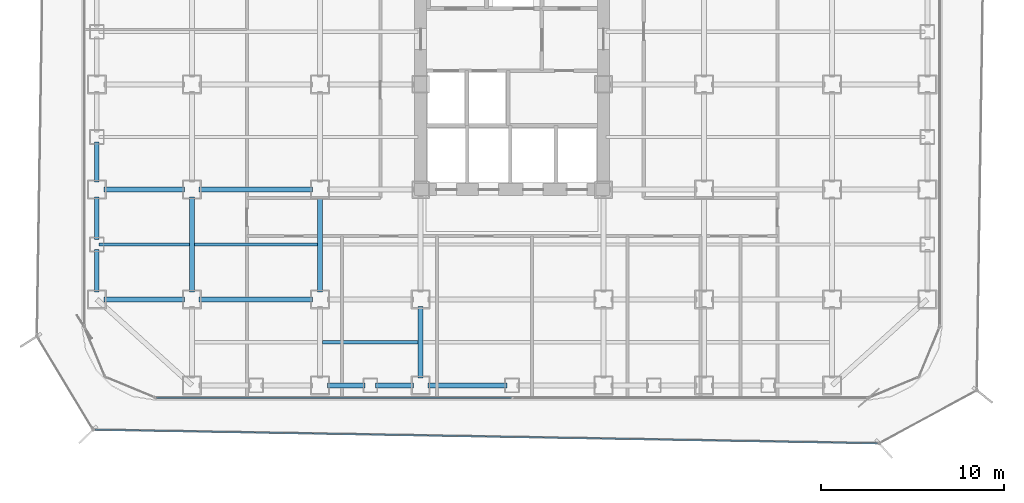
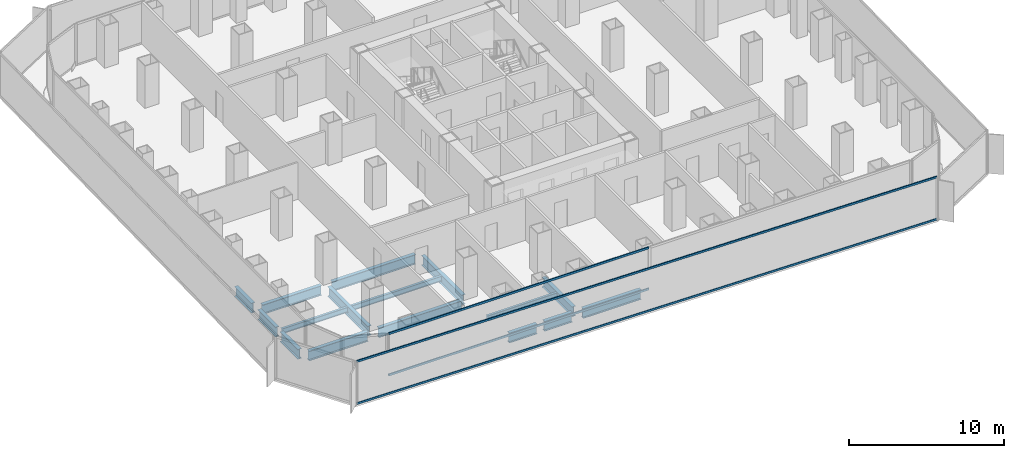
# One storey, part 3 of 22: 16 beams, 4 members, 2 elements without a shape of their own.
"""IFC4 building model written with IfcOpenShell, lengths in metres."""

from ifc_helpers import new_model, si_unit, direction, frame, origin, origin_2d, place, context, subcontext, project, spatial, hollow_rectangle, i_section, extrude, source, transform, mapped, material, layer, layer_set, material_profile, profile_set, type_object, element, aggregate, save


model = new_model("IFC4")

# Units and contexts
model_context = context("Model", 3, precision=1e-05, world=origin(), true_north=direction((0.0, 1.0)))
body_context = subcontext(model_context, "Body", "Model", "MODEL_VIEW")
ifc_project = project(units=[si_unit("LENGTHUNIT", "METRE"), si_unit("AREAUNIT", "SQUARE_METRE"), si_unit("VOLUMEUNIT", "CUBIC_METRE"), si_unit("PLANEANGLEUNIT", "RADIAN"), si_unit("MASSUNIT", "GRAM", prefix="KILO")], contexts=[model_context])

# Site, building, storey
site_placement = place(None, origin())
site = spatial("IfcSite", under=ifc_project, at=site_placement, CompositionType="ELEMENT")
building_placement = place(site_placement, origin())
building = spatial("IfcBuilding", under=site, at=building_placement, Name="Kolveth Station Tower", CompositionType="ELEMENT")
storey_placement = place(building_placement, frame((0.0, 0.0, 54.89990234375)))
storey = spatial("IfcBuildingStorey", under=building, at=storey_placement, Name="L14", CompositionType="ELEMENT", Elevation=54.89990234375)

# Beams
ifc_material_1 = material(Name="Steel S355", Category="steel")
ifc_material_profile_1 = material_profile(ifc_material_1, i_section(OverallWidth=0.26904296875, OverallDepth=0.77490234375, WebThickness=0.01708984375, FlangeThickness=0.0283203125, at=origin_2d()), Name="W760x220")
ifc_profile_set_1 = profile_set([ifc_material_profile_1], Name="Steel S355")
beam_type_1 = type_object("IfcBeamType", Name="Beam_SP1", PredefinedType="SPANDREL", material=ifc_profile_set_1)
shared_shape_1 = source(origin(), body_context, "Body", "SweptSolid", [
    extrude(i_section(OverallWidth=0.26904296875, OverallDepth=0.77490234375, WebThickness=0.01708984375, FlangeThickness=0.0283203125, at=origin_2d()), origin(), (0.0, 0.0, 1.0), 2.070068359375),
])
for number, where, z_axis, x_axis, name in (
    (1, (13.39990234375, 0.800048828125, -0.66748046875), (1.0, 0.0, 0.0), (0.0, 1.0, 0.0), "L14 Perimeter Spandrel BM-L14-PS-3"),
    (2, (16.030029296875, 0.800048828125, -0.66748046875), (1.0, 0.0, 0.0), (0.0, 1.0, 0.0), "L14 Perimeter Spandrel BM-L14-PS-4"),
):
    element("IfcBeam", number, at=place(storey_placement, frame(where, z_axis=z_axis, x_axis=x_axis)), inside=storey, type_object=beam_type_1, Name=name, PredefinedType="SPANDREL", context=body_context, shape_type="MappedRepresentation", body=[
        mapped(shared_shape_1, transform((0.0, 0.0, 0.0), x_axis=(1.0, 0.0, 0.0), y_axis=(0.0, 1.0, 0.0), z_axis=(0.0, 0.0, 1.0), scale=1.0)),
    ])
shared_shape_2 = source(origin(), body_context, "Body", "SweptSolid", [
    extrude(i_section(OverallWidth=0.26904296875, OverallDepth=0.77490234375, WebThickness=0.01708984375, FlangeThickness=0.0283203125, at=origin_2d()), origin(), (0.0, 0.0, 1.0), 4.320068359375),
])
beam_1_placement = place(storey_placement, frame((18.89990234375, 0.800048828125, -0.66748046875), z_axis=(1.0, 0.0, 0.0), x_axis=(0.0, 1.0, 0.0)))
element("IfcBeam", 3, at=beam_1_placement, inside=storey, type_object=beam_type_1, Name="L14 Perimeter Spandrel BM-L14-PS-5", PredefinedType="SPANDREL", context=body_context, shape_type="MappedRepresentation", body=[
    mapped(shared_shape_2, transform((0.0, 0.0, 0.0), x_axis=(1.0, 0.0, 0.0), y_axis=(0.0, 1.0, 0.0), z_axis=(0.0, 0.0, 1.0), scale=1.0)),
])
shared_shape_3 = source(origin(), body_context, "Body", "SweptSolid", [
    extrude(i_section(OverallWidth=0.26904296875, OverallDepth=0.77490234375, WebThickness=0.01708984375, FlangeThickness=0.0283203125, at=origin_2d()), origin(), (0.0, 0.0, 1.0), 2.320068359375),
])
for number, where, z_axis, x_axis, name in (
    (4, (0.800048828125, 5.89990234375, -0.66748046875), (0.0, 1.0, 0.0), (-1.0, 0.0, 0.0), "L14 Perimeter Spandrel BM-L14-PW-1"),
    (5, (0.800048828125, 8.780029296875, -0.66748046875), (0.0, 1.0, 0.0), (-1.0, 0.0, 0.0), "L14 Perimeter Spandrel BM-L14-PW-2"),
):
    element("IfcBeam", number, at=place(storey_placement, frame(where, z_axis=z_axis, x_axis=x_axis)), inside=storey, type_object=beam_type_1, Name=name, PredefinedType="SPANDREL", context=body_context, shape_type="MappedRepresentation", body=[
        mapped(shared_shape_3, transform((0.0, 0.0, 0.0), x_axis=(1.0, 0.0, 0.0), y_axis=(0.0, 1.0, 0.0), z_axis=(0.0, 0.0, 1.0), scale=1.0)),
    ])
shared_shape_4 = source(origin(), body_context, "Body", "SweptSolid", [
    extrude(i_section(OverallWidth=0.26904296875, OverallDepth=0.77490234375, WebThickness=0.01708984375, FlangeThickness=0.0283203125, at=origin_2d()), origin(), (0.0, 0.0, 1.0), 2.2001953125),
])
beam_2_placement = place(storey_placement, frame((0.800048828125, 11.89990234375, -0.66748046875), z_axis=(0.0, 1.0, 0.0), x_axis=(-1.0, 0.0, 0.0)))
element("IfcBeam", 6, at=beam_2_placement, inside=storey, type_object=beam_type_1, Name="L14 Perimeter Spandrel BM-L14-PW-3", PredefinedType="SPANDREL", context=body_context, shape_type="MappedRepresentation", body=[
    mapped(shared_shape_4, transform((0.0, 0.0, 0.0), x_axis=(1.0, 0.0, 0.0), y_axis=(0.0, 1.0, 0.0), z_axis=(0.0, 0.0, 1.0), scale=1.0)),
])
ifc_material_profile_2 = material_profile(ifc_material_1, i_section(OverallWidth=0.26708984375, OverallDepth=0.76611328125, WebThickness=0.014892578125, FlangeThickness=0.023681640625, at=origin_2d()), Name="W760x185")
ifc_profile_set_2 = profile_set([ifc_material_profile_2], Name="Steel S355")
beam_type_2 = type_object("IfcBeamType", Name="Beam_B3", PredefinedType="BEAM", material=ifc_profile_set_2)
shared_shape_5 = source(origin(), body_context, "Body", "SweptSolid", [
    extrude(i_section(OverallWidth=0.26708984375, OverallDepth=0.76611328125, WebThickness=0.014892578125, FlangeThickness=0.023681640625, at=origin_2d()), origin(), (0.0, 0.0, 1.0), 4.400146484375),
])
for number, where, z_axis, x_axis, name in (
    (7, (1.199951171875, 5.5, -0.662841796875), (1.0, 0.0, 0.0), (0.0, 1.0, 0.0), "L14 Primary Girder BM-L14-GY55-1"),
    (8, (1.199951171875, 11.5, -0.662841796875), (1.0, 0.0, 0.0), (0.0, 1.0, 0.0), "L14 Primary Girder BM-L14-GY115-1"),
):
    element("IfcBeam", number, at=place(storey_placement, frame(where, z_axis=z_axis, x_axis=x_axis)), inside=storey, type_object=beam_type_2, Name=name, PredefinedType="BEAM", context=body_context, shape_type="MappedRepresentation", body=[
        mapped(shared_shape_5, transform((0.0, 0.0, 0.0), x_axis=(1.0, 0.0, 0.0), y_axis=(0.0, 1.0, 0.0), z_axis=(0.0, 0.0, 1.0), scale=1.0)),
    ])
shared_shape_6 = source(origin(), body_context, "Body", "SweptSolid", [
    extrude(i_section(OverallWidth=0.26708984375, OverallDepth=0.76611328125, WebThickness=0.014892578125, FlangeThickness=0.023681640625, at=origin_2d()), origin(), (0.0, 0.0, 1.0), 6.2001953125),
])
for number, where, z_axis, x_axis, name in (
    (9, (6.39990234375, 5.5, -0.662841796875), (1.0, 0.0, 0.0), (0.0, 1.0, 0.0), "L14 Primary Girder BM-L14-GY55-2"),
    (10, (6.39990234375, 11.5, -0.662841796875), (1.0, 0.0, 0.0), (0.0, 1.0, 0.0), "L14 Primary Girder BM-L14-GY115-2"),
):
    element("IfcBeam", number, at=place(storey_placement, frame(where, z_axis=z_axis, x_axis=x_axis)), inside=storey, type_object=beam_type_2, Name=name, PredefinedType="BEAM", context=body_context, shape_type="MappedRepresentation", body=[
        mapped(shared_shape_6, transform((0.0, 0.0, 0.0), x_axis=(1.0, 0.0, 0.0), y_axis=(0.0, 1.0, 0.0), z_axis=(0.0, 0.0, 1.0), scale=1.0)),
    ])
shared_shape_7 = source(origin(), body_context, "Body", "SweptSolid", [
    extrude(i_section(OverallWidth=0.26708984375, OverallDepth=0.76611328125, WebThickness=0.014892578125, FlangeThickness=0.023681640625, at=origin_2d()), origin(), (0.0, 0.0, 1.0), 3.900146484375),
])
beam_3_placement = place(storey_placement, frame((18.5, 1.199951171875, -0.662841796875), z_axis=(0.0, 1.0, 0.0), x_axis=(-1.0, 0.0, 0.0)))
element("IfcBeam", 11, at=beam_3_placement, inside=storey, type_object=beam_type_2, Name="L14 Primary Girder BM-L14-GX185-1", PredefinedType="BEAM", context=body_context, shape_type="MappedRepresentation", body=[
    mapped(shared_shape_7, transform((0.0, 0.0, 0.0), x_axis=(1.0, 0.0, 0.0), y_axis=(0.0, 1.0, 0.0), z_axis=(0.0, 0.0, 1.0), scale=1.0)),
])
shared_shape_8 = source(origin(), body_context, "Body", "SweptSolid", [
    extrude(i_section(OverallWidth=0.26708984375, OverallDepth=0.76611328125, WebThickness=0.014892578125, FlangeThickness=0.023681640625, at=origin_2d()), origin(), (0.0, 0.0, 1.0), 5.2001953125),
])
for number, where, z_axis, x_axis, name in (
    (12, (6.0, 5.89990234375, -0.662841796875), (0.0, 1.0, 0.0), (-1.0, 0.0, 0.0), "L14 Primary Girder BM-L14-GX60-2"),
    (13, (13.0, 5.89990234375, -0.662841796875), (0.0, 1.0, 0.0), (-1.0, 0.0, 0.0), "L14 Primary Girder BM-L14-GX130-2"),
):
    element("IfcBeam", number, at=place(storey_placement, frame(where, z_axis=z_axis, x_axis=x_axis)), inside=storey, type_object=beam_type_2, Name=name, PredefinedType="BEAM", context=body_context, shape_type="MappedRepresentation", body=[
        mapped(shared_shape_8, transform((0.0, 0.0, 0.0), x_axis=(1.0, 0.0, 0.0), y_axis=(0.0, 1.0, 0.0), z_axis=(0.0, 0.0, 1.0), scale=1.0)),
    ])
ifc_material_profile_3 = material_profile(ifc_material_1, i_section(OverallWidth=0.177978515625, OverallDepth=0.406982421875, WebThickness=0.0078125, FlangeThickness=0.0126953125, at=origin_2d()), Name="W410x60")
ifc_profile_set_3 = profile_set([ifc_material_profile_3], Name="Steel S355")
beam_type_3 = type_object("IfcBeamType", Name="Beam_J1", PredefinedType="JOIST", material=ifc_profile_set_3)
shared_shape_9 = source(origin(), body_context, "Body", "SweptSolid", [
    extrude(i_section(OverallWidth=0.177978515625, OverallDepth=0.406982421875, WebThickness=0.0078125, FlangeThickness=0.0126953125, at=origin_2d()), origin(), (0.0, 0.0, 1.0), 4.935791015625),
])
beam_4_placement = place(storey_placement, frame((0.9326171875, 8.5, -0.4833984375), z_axis=(1.0, 0.0, 0.0), x_axis=(0.0, 1.0, 0.0)))
element("IfcBeam", 14, at=beam_4_placement, inside=storey, type_object=beam_type_3, Name="L14 Secondary Joist JST-L14-1-2", PredefinedType="JOIST", context=body_context, shape_type="MappedRepresentation", body=[
    mapped(shared_shape_9, transform((0.0, 0.0, 0.0), x_axis=(1.0, 0.0, 0.0), y_axis=(0.0, 1.0, 0.0), z_axis=(0.0, 0.0, 1.0), scale=1.0)),
])
shared_shape_10 = source(origin(), body_context, "Body", "SweptSolid", [
    extrude(i_section(OverallWidth=0.177978515625, OverallDepth=0.406982421875, WebThickness=0.0078125, FlangeThickness=0.0126953125, at=origin_2d()), origin(), (0.0, 0.0, 1.0), 6.73681640625),
])
beam_5_placement = place(storey_placement, frame((6.131591796875, 8.5, -0.4833984375), z_axis=(1.0, 0.0, 0.0), x_axis=(0.0, 1.0, 0.0)))
element("IfcBeam", 15, at=beam_5_placement, inside=storey, type_object=beam_type_3, Name="L14 Secondary Joist JST-L14-2-2", PredefinedType="JOIST", context=body_context, shape_type="MappedRepresentation", body=[
    mapped(shared_shape_10, transform((0.0, 0.0, 0.0), x_axis=(1.0, 0.0, 0.0), y_axis=(0.0, 1.0, 0.0), z_axis=(0.0, 0.0, 1.0), scale=1.0)),
])
shared_shape_11 = source(origin(), body_context, "Body", "SweptSolid", [
    extrude(i_section(OverallWidth=0.177978515625, OverallDepth=0.406982421875, WebThickness=0.0078125, FlangeThickness=0.0126953125, at=origin_2d()), origin(), (0.0, 0.0, 1.0), 5.23681640625),
])
beam_6_placement = place(storey_placement, frame((13.131591796875, 3.14990234375, -0.4833984375), z_axis=(1.0, 0.0, 0.0), x_axis=(0.0, 1.0, 0.0)))
element("IfcBeam", 16, at=beam_6_placement, inside=storey, type_object=beam_type_3, Name="L14 Secondary Joist JST-L14-3-1", PredefinedType="JOIST", context=body_context, shape_type="MappedRepresentation", body=[
    mapped(shared_shape_11, transform((0.0, 0.0, 0.0), x_axis=(1.0, 0.0, 0.0), y_axis=(0.0, 1.0, 0.0), z_axis=(0.0, 0.0, 1.0), scale=1.0)),
])

# Curtain wall, members
ifc_material_2 = material(Name="Aluminium 6063-T6 and low-E dark glass", Category="aluminium")
ifc_layer_1 = layer(ifc_material_2, 0.179931640625)
ifc_layer_set_1 = layer_set([ifc_layer_1], Name="Aluminium 6063-T6 and low-E dark glass")
curtain_wall_type_1 = type_object("IfcCurtainWallType", Name="CurtainWall_CW-Z1", PredefinedType="NOTDEFINED", material=ifc_layer_set_1)
curtain_wall_1_placement = place(storey_placement, origin())
curtain_wall_1 = element("IfcCurtainWall", 17, at=curtain_wall_1_placement, inside=storey, type_object=curtain_wall_type_1, Name="L14 Inner Thermal Curtain Wall 12", PredefinedType="NOTDEFINED")
ifc_material_3 = material(Name="Black anodized aluminium 6063-T6", Category="aluminium")
ifc_material_profile_4 = material_profile(ifc_material_3, hollow_rectangle(XDim=0.074951171875, YDim=0.159912109375, WallThickness=0.0048828125, at=origin_2d()), Name="ALU-75x160x5")
ifc_profile_set_4 = profile_set([ifc_material_profile_4], Name="Black anodized aluminium 6063-T6")
member_type_1 = type_object("IfcMemberType", Name="Transom_TR1", PredefinedType="USERDEFINED", material=ifc_profile_set_4)
shared_shape_12 = source(origin(), body_context, "Body", "SweptSolid", [
    extrude(hollow_rectangle(XDim=0.074951171875, YDim=0.159912109375, WallThickness=0.0048828125, at=origin_2d()), origin(), (0.0, 0.0, 1.0), 19.387451171875),
])
member_1_placement = place(storey_placement, frame((4.074951171875, 0.1201171875, 0.03759765625), z_axis=(1.0, 0.0, 0.0), x_axis=(0.0, 1.0, 0.0)))
member_1 = element("IfcMember", 18, at=member_1_placement, type_object=member_type_1, Name="CW-Z1 transom 1.1", ObjectType="TRANSOM", PredefinedType="USERDEFINED", context=body_context, shape_type="MappedRepresentation", body=[
    mapped(shared_shape_12, transform((0.0, 0.0, 0.0), x_axis=(1.0, 0.0, 0.0), y_axis=(0.0, 1.0, 0.0), z_axis=(0.0, 0.0, 1.0), scale=1.0)),
])
member_2_placement = place(storey_placement, frame((4.074951171875, 0.1201171875, 3.28271484375), z_axis=(1.0, 0.0, 0.0), x_axis=(0.0, 1.0, 0.0)))
member_2 = element("IfcMember", 19, at=member_2_placement, type_object=member_type_1, Name="CW-Z1 transom 1.2", ObjectType="TRANSOM", PredefinedType="USERDEFINED", context=body_context, shape_type="MappedRepresentation", body=[
    mapped(shared_shape_12, transform((0.0, 0.0, 0.0), x_axis=(1.0, 0.0, 0.0), y_axis=(0.0, 1.0, 0.0), z_axis=(0.0, 0.0, 1.0), scale=1.0)),
])
aggregate(curtain_wall_1, [member_1, member_2])

ifc_material_4 = material(Name="Black anodized aluminium 6063-T6 and dark solar glass", Category="aluminium")
ifc_layer_2 = layer(ifc_material_4, 0.159912109375)
ifc_layer_set_2 = layer_set([ifc_layer_2], Name="Black anodized aluminium 6063-T6 and dark solar glass")
curtain_wall_type_2 = type_object("IfcCurtainWallType", Name="OUTER SKIN CW-OS", PredefinedType="NOTDEFINED", material=ifc_layer_set_2)
curtain_wall_2_placement = place(storey_placement, origin())
curtain_wall_2 = element("IfcCurtainWall", 20, at=curtain_wall_2_placement, inside=storey, type_object=curtain_wall_type_2, Name="L14 Outer Ventilated Skin Curtain Wall 8", PredefinedType="NOTDEFINED")
ifc_material_profile_5 = material_profile(ifc_material_3, hollow_rectangle(XDim=0.080078125, YDim=0.14990234375, WallThickness=0.0048828125, at=origin_2d()), Name="ALU-80x150x5")
ifc_profile_set_5 = profile_set([ifc_material_profile_5], Name="Black anodized aluminium 6063-T6")
member_type_2 = type_object("IfcMemberType", Name="Transom_TR-OS", PredefinedType="USERDEFINED", material=ifc_profile_set_5)
shared_shape_13 = source(origin(), body_context, "Body", "SweptSolid", [
    extrude(hollow_rectangle(XDim=0.080078125, YDim=0.14990234375, WallThickness=0.0048828125, at=origin_2d()), origin(), (0.0, 0.0, 1.0), 42.787109375),
])
member_3_placement = place(storey_placement, frame((0.69580078125, -1.628173828125, 0.0400390625), z_axis=(0.999849744378, -0.017334608934, 0.0), x_axis=(0.017334608934, 0.999849744378, 0.0)))
member_3 = element("IfcMember", 21, at=member_3_placement, type_object=member_type_2, Name="CW-OS transom 1.1", ObjectType="TRANSOM", PredefinedType="USERDEFINED", context=body_context, shape_type="MappedRepresentation", body=[
    mapped(shared_shape_13, transform((0.0, 0.0, 0.0), x_axis=(1.0, 0.0, 0.0), y_axis=(0.0, 1.0, 0.0), z_axis=(0.0, 0.0, 1.0), scale=1.0)),
])
member_4_placement = place(storey_placement, frame((0.69580078125, -1.628173828125, 3.35009765625), z_axis=(0.999849744378, -0.017334608934, 0.0), x_axis=(0.017334608934, 0.999849744378, 0.0)))
member_4 = element("IfcMember", 22, at=member_4_placement, type_object=member_type_2, Name="CW-OS transom 1.2", ObjectType="TRANSOM", PredefinedType="USERDEFINED", context=body_context, shape_type="MappedRepresentation", body=[
    mapped(shared_shape_13, transform((0.0, 0.0, 0.0), x_axis=(1.0, 0.0, 0.0), y_axis=(0.0, 1.0, 0.0), z_axis=(0.0, 0.0, 1.0), scale=1.0)),
])
aggregate(curtain_wall_2, [member_3, member_4])

save(model, "model.ifc")
